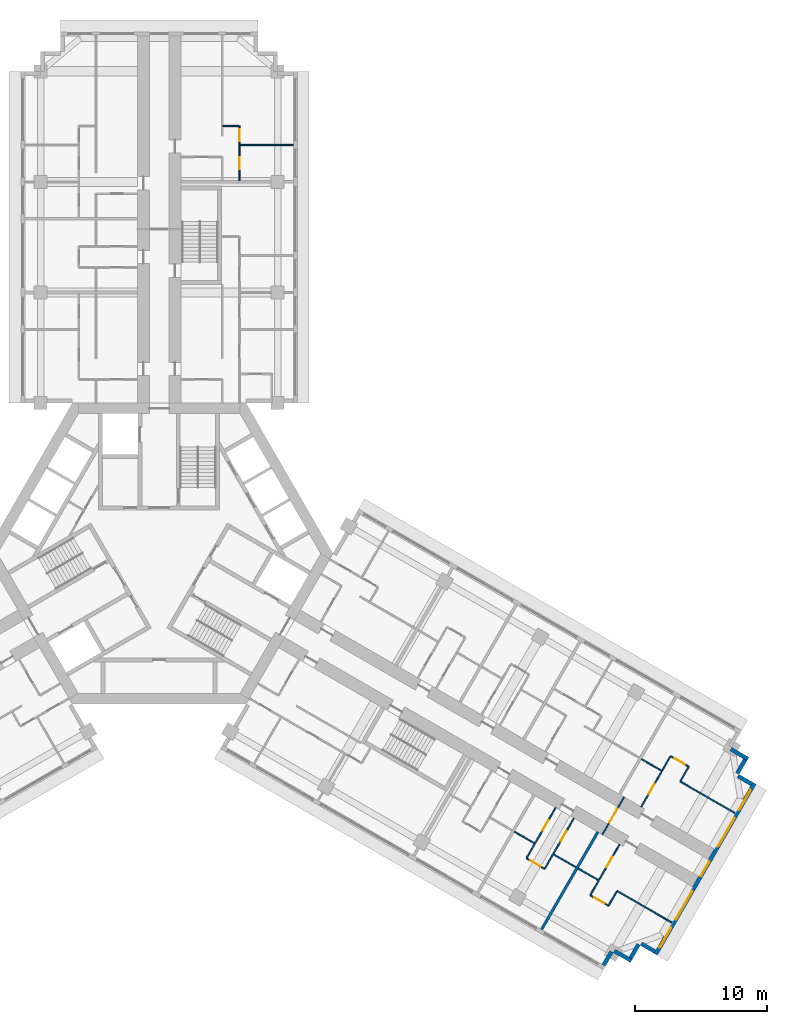
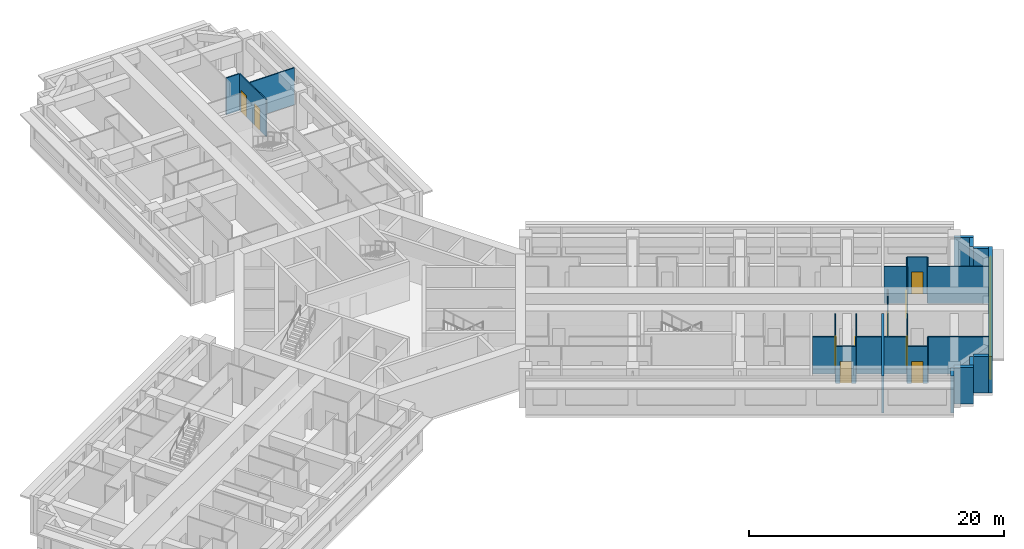
# One storey, part 10 of 13: 32 walls, 10 doors, 5 windows, 15 openings.
"""IFC4 building model written with IfcOpenShell, lengths in metres."""

from ifc_helpers import new_model, si_unit, direction, frame, frame_2d, origin, place, context, subcontext, project, spatial, rectangle, extrude, material, layer, layer_set, type_object, element, fill, save


model = new_model("IFC4")

# Units and contexts
model_context = context("Model", 3, precision=1e-05, world=origin(), true_north=direction((0.0, 1.0)))
body_context = subcontext(model_context, "Body", "Model", "MODEL_VIEW")
ifc_project = project(units=[si_unit("LENGTHUNIT", "METRE"), si_unit("AREAUNIT", "SQUARE_METRE"), si_unit("VOLUMEUNIT", "CUBIC_METRE"), si_unit("PLANEANGLEUNIT", "RADIAN"), si_unit("MASSUNIT", "GRAM", prefix="KILO")], contexts=[model_context])

# Site, building, storey
site_placement = place(None, origin())
site = spatial("IfcSite", under=ifc_project, at=site_placement, CompositionType="ELEMENT")
building_placement = place(site_placement, origin())
building = spatial("IfcBuilding", under=site, at=building_placement, Name="Impinga Residences", CompositionType="ELEMENT")
storey_placement = place(building_placement, frame((0.0, 0.0, 139.75)))
storey = spatial("IfcBuildingStorey", under=building, at=storey_placement, Name="L34", CompositionType="ELEMENT", Elevation=139.75)

# Wall, opening, door
ifc_material_1 = material(Name="Concrete blockwork", Category="masonry")
ifc_layer_1 = layer(ifc_material_1, 0.10009765625)
ifc_layer_set_1 = layer_set([ifc_layer_1], Name="CP1 core room partition, blockwork 100")
wall_type_1 = type_object("IfcWallType", Name="CP1 core room partition, blockwork 100", PredefinedType="PARTITIONING", material=ifc_layer_set_1)
wall_1_placement = place(storey_placement, frame((35.320068359375, -18.48681640625, 0.0), z_axis=(0.0, 0.0, 1.0), x_axis=(-0.499974350878, -0.866040211805, 0.0)))
wall_1 = element("IfcWall", 1, at=wall_1_placement, inside=storey, type_object=wall_type_1, Name="Core room partition, blockwork L34:E:PLB", PredefinedType="PARTITIONING", context=body_context, shape_type="SweptSolid", body=[
    extrude(rectangle(XDim=3.300048828125, YDim=0.10009765625, at=frame_2d((1.64990234375, 0.0))), origin(), (0.0, 0.0, 1.0), 3.530029296875),
])
opening_1_placement = place(wall_1_placement, frame((1.050048828125, 0.0, 0.0)))
opening_1 = element("IfcOpeningElement", 2, at=opening_1_placement, cuts=wall_1, Name="Opening D3", PredefinedType="OPENING", context=body_context, shape_type="SweptSolid", body=[
    extrude(rectangle(XDim=1.199951171875, YDim=2.10009765625, at=frame_2d((0.60009765625, 1.050048828125))), frame((0.0, 0.06005859375, 0.0), z_axis=(0.0, -1.0, 0.0), x_axis=(1.0, 0.0, 0.0)), (0.0, 0.0, 1.0), 0.1201171875),
])
ifc_material_2 = material(Name="Timber door set", Category="wood")
door_type_1 = type_object("IfcDoorType", Name="D3 room door, leaf and a half 1200x2100", OperationType="DOUBLE_SWING_LEFT", PredefinedType="DOOR", material=ifc_material_2)
door_1_placement = place(opening_1_placement, origin())
door_1 = element("IfcDoor", 3, at=door_1_placement, inside=storey, type_object=door_type_1, Name="Private lobby door E", OperationType="DOUBLE_SWING_LEFT", OverallHeight=2.10009765625, OverallWidth=1.199951171875, PredefinedType="DOOR", context=body_context, shape_type="SweptSolid", body=[
    extrude(rectangle(XDim=1.199951171875, YDim=2.10009765625, at=frame_2d((0.60009765625, 1.050048828125))), frame((0.0, 0.02490234375, 0.0), z_axis=(0.0, -1.0, 0.0), x_axis=(1.0, 0.0, 0.0)), (0.0, 0.0, 1.0), 0.050048828125),
])
fill(opening_1, door_1)

# Walls
ifc_material_3 = material(Name="Terracotta rainscreen on blockwork", Category="masonry")
ifc_layer_2 = layer(ifc_material_3, 0.300048828125)
ifc_layer_set_2 = layer_set([ifc_layer_2], Name="EW1 external wall, terracotta rainscreen on blockwork 300")
wall_type_2 = type_object("IfcWallType", Name="EW1 external wall, terracotta rainscreen on blockwork 300", PredefinedType="SOLIDWALL", material=ifc_layer_set_2)
wall_2_placement = place(storey_placement, frame((43.42333984375, -14.8515625, 0.0), z_axis=(0.0, 0.0, 1.0), x_axis=(0.866031096941, -0.499990139034, 0.0)))
element("IfcWall", 4, at=wall_2_placement, inside=storey, type_object=wall_type_2, Name="External wall EW1 L34", PredefinedType="SOLIDWALL", context=body_context, shape_type="SweptSolid", body=[
    extrude(rectangle(XDim=1.5, YDim=0.300048828125, at=frame_2d((0.75, 0.0))), origin(), (0.0, 0.0, 1.0), 3.530029296875),
])
wall_3_placement = place(storey_placement, frame((44.517578125, -15.65625, 0.0), z_axis=(0.0, 0.0, 1.0), x_axis=(-0.500033551112, -0.866006032174, 0.0)))
element("IfcWall", 5, at=wall_3_placement, inside=storey, type_object=wall_type_2, Name="External wall EW1 L34", PredefinedType="SOLIDWALL", context=body_context, shape_type="SweptSolid", body=[
    extrude(rectangle(XDim=1.2001953125, YDim=0.300048828125, at=frame_2d((0.60009765625, 0.0))), origin(), (0.0, 0.0, 1.0), 3.530029296875),
])
wall_4_placement = place(storey_placement, frame((43.976806640625, -16.903076171875, 0.0), z_axis=(0.0, 0.0, 1.0), x_axis=(0.866059708757, -0.499940577336, 0.0)))
element("IfcWall", 6, at=wall_4_placement, inside=storey, type_object=wall_type_2, Name="External wall EW1 L34", PredefinedType="SOLIDWALL", context=body_context, shape_type="SweptSolid", body=[
    extrude(rectangle(XDim=1.195068359375, YDim=0.300048828125, at=frame_2d((0.59765625, 0.0))), origin(), (0.0, 0.0, 1.0), 3.530029296875),
])

# Wall, openings, windows
wall_5_placement = place(storey_placement, frame((45.216552734375, -17.445556640625, 0.0), z_axis=(0.0, 0.0, 1.0), x_axis=(-0.499997186618, -0.866027028085, 0.0)))
wall_5 = element("IfcWall", 7, at=wall_5_placement, inside=storey, type_object=wall_type_2, Name="External wall EW1 L34", PredefinedType="SOLIDWALL", context=body_context, shape_type="SweptSolid", body=[
    extrude(rectangle(XDim=15.0, YDim=0.300048828125, at=frame_2d((7.5, 0.0))), origin(), (0.0, 0.0, 1.0), 3.530029296875),
])
opening_2_placement = place(wall_5_placement, frame((0.60009765625, 0.0, 0.89990234375)))
opening_2 = element("IfcOpeningElement", 8, at=opening_2_placement, cuts=wall_5, Name="Opening W1", PredefinedType="OPENING", context=body_context, shape_type="SweptSolid", body=[
    extrude(rectangle(XDim=1.75, YDim=2.050048828125, at=frame_2d((0.875, 1.02490234375))), frame((0.0, 0.159912109375, 0.0), z_axis=(0.0, -1.0, 0.0), x_axis=(1.0, 0.0, 0.0)), (0.0, 0.0, 1.0), 0.320068359375),
])
opening_3_placement = place(wall_5_placement, frame((3.050048828125, 0.0, 0.89990234375)))
opening_3 = element("IfcOpeningElement", 9, at=opening_3_placement, cuts=wall_5, Name="Opening W2", PredefinedType="OPENING", context=body_context, shape_type="SweptSolid", body=[
    extrude(rectangle(XDim=2.5, YDim=2.050048828125, at=frame_2d((1.25, 1.02490234375))), frame((0.0, 0.159912109375, 0.0), z_axis=(0.0, -1.0, 0.0), x_axis=(1.0, 0.0, 0.0)), (0.0, 0.0, 1.0), 0.320068359375),
])
opening_4_placement = place(wall_5_placement, frame((6.85009765625, 0.0, 0.89990234375)))
opening_4 = element("IfcOpeningElement", 10, at=opening_4_placement, cuts=wall_5, Name="Opening W17", PredefinedType="OPENING", context=body_context, shape_type="SweptSolid", body=[
    extrude(rectangle(XDim=1.300048828125, YDim=2.050048828125, at=frame_2d((0.64990234375, 1.02490234375))), frame((0.0, 0.159912109375, 0.0), z_axis=(0.0, -1.0, 0.0), x_axis=(1.0, 0.0, 0.0)), (0.0, 0.0, 1.0), 0.320068359375),
])
opening_5_placement = place(wall_5_placement, frame((9.449951171875, 0.0, 0.89990234375)))
opening_5 = element("IfcOpeningElement", 11, at=opening_5_placement, cuts=wall_5, Name="Opening W2", PredefinedType="OPENING", context=body_context, shape_type="SweptSolid", body=[
    extrude(rectangle(XDim=2.5, YDim=2.050048828125, at=frame_2d((1.25, 1.02490234375))), frame((0.0, 0.159912109375, 0.0), z_axis=(0.0, -1.0, 0.0), x_axis=(1.0, 0.0, 0.0)), (0.0, 0.0, 1.0), 0.320068359375),
])
opening_6_placement = place(wall_5_placement, frame((12.64990234375, 0.0, 0.89990234375)))
opening_6 = element("IfcOpeningElement", 12, at=opening_6_placement, cuts=wall_5, Name="Opening W1", PredefinedType="OPENING", context=body_context, shape_type="SweptSolid", body=[
    extrude(rectangle(XDim=1.75, YDim=2.050048828125, at=frame_2d((0.875, 1.02490234375))), frame((0.0, 0.159912109375, 0.0), z_axis=(0.0, -1.0, 0.0), x_axis=(1.0, 0.0, 0.0)), (0.0, 0.0, 1.0), 0.320068359375),
])
ifc_material_4 = material(Name="Aluminium window, clear double glazing", Category="aluminium")
window_type_1 = type_object("IfcWindowType", Name="W1 ribbon window 1750x2050", PartitioningType="SINGLE_PANEL", PredefinedType="WINDOW", material=ifc_material_4)
window_1_placement = place(opening_2_placement, origin())
window_1 = element("IfcWindow", 13, at=window_1_placement, inside=storey, type_object=window_type_1, Name="Window L34", OverallHeight=2.050048828125, OverallWidth=1.75, PartitioningType="SINGLE_PANEL", PredefinedType="WINDOW", context=body_context, shape_type="SweptSolid", body=[
    extrude(rectangle(XDim=1.75, YDim=2.050048828125, at=frame_2d((0.875, 1.02490234375))), frame((0.0, 0.030029296875, 0.0), z_axis=(0.0, -1.0, 0.0), x_axis=(1.0, 0.0, 0.0)), (0.0, 0.0, 1.0), 0.06005859375),
])
fill(opening_2, window_1)
window_2_placement = place(opening_6_placement, origin())
window_2 = element("IfcWindow", 14, at=window_2_placement, inside=storey, type_object=window_type_1, Name="Window L34", OverallHeight=2.050048828125, OverallWidth=1.75, PartitioningType="SINGLE_PANEL", PredefinedType="WINDOW", context=body_context, shape_type="SweptSolid", body=[
    extrude(rectangle(XDim=1.75, YDim=2.050048828125, at=frame_2d((0.875, 1.02490234375))), frame((0.0, 0.030029296875, 0.0), z_axis=(0.0, -1.0, 0.0), x_axis=(1.0, 0.0, 0.0)), (0.0, 0.0, 1.0), 0.06005859375),
])
fill(opening_6, window_2)
window_type_2 = type_object("IfcWindowType", Name="W17 ribbon window 1300x2050", PartitioningType="SINGLE_PANEL", PredefinedType="WINDOW", material=ifc_material_4)
window_3_placement = place(opening_4_placement, origin())
window_3 = element("IfcWindow", 15, at=window_3_placement, inside=storey, type_object=window_type_2, Name="Window L34", OverallHeight=2.050048828125, OverallWidth=1.300048828125, PartitioningType="SINGLE_PANEL", PredefinedType="WINDOW", context=body_context, shape_type="SweptSolid", body=[
    extrude(rectangle(XDim=1.300048828125, YDim=2.050048828125, at=frame_2d((0.64990234375, 1.02490234375))), frame((0.0, 0.030029296875, 0.0), z_axis=(0.0, -1.0, 0.0), x_axis=(1.0, 0.0, 0.0)), (0.0, 0.0, 1.0), 0.06005859375),
])
fill(opening_4, window_3)
window_type_3 = type_object("IfcWindowType", Name="W2 ribbon window 2500x2050", PartitioningType="SINGLE_PANEL", PredefinedType="WINDOW", material=ifc_material_4)
window_4_placement = place(opening_3_placement, origin())
window_4 = element("IfcWindow", 16, at=window_4_placement, inside=storey, type_object=window_type_3, Name="Window L34", OverallHeight=2.050048828125, OverallWidth=2.5, PartitioningType="SINGLE_PANEL", PredefinedType="WINDOW", context=body_context, shape_type="SweptSolid", body=[
    extrude(rectangle(XDim=2.5, YDim=2.050048828125, at=frame_2d((1.25, 1.02490234375))), frame((0.0, 0.030029296875, 0.0), z_axis=(0.0, -1.0, 0.0), x_axis=(1.0, 0.0, 0.0)), (0.0, 0.0, 1.0), 0.06005859375),
])
fill(opening_3, window_4)
window_5_placement = place(opening_5_placement, origin())
window_5 = element("IfcWindow", 17, at=window_5_placement, inside=storey, type_object=window_type_3, Name="Window L34", OverallHeight=2.050048828125, OverallWidth=2.5, PartitioningType="SINGLE_PANEL", PredefinedType="WINDOW", context=body_context, shape_type="SweptSolid", body=[
    extrude(rectangle(XDim=2.5, YDim=2.050048828125, at=frame_2d((1.25, 1.02490234375))), frame((0.0, 0.030029296875, 0.0), z_axis=(0.0, -1.0, 0.0), x_axis=(1.0, 0.0, 0.0)), (0.0, 0.0, 1.0), 0.06005859375),
])
fill(opening_5, window_5)

# Walls
wall_6_placement = place(storey_placement, frame((37.66162109375, -30.23095703125, 0.0), z_axis=(0.0, 0.0, 1.0), x_axis=(-0.866059708757, 0.499940577336, 0.0)))
element("IfcWall", 18, at=wall_6_placement, inside=storey, type_object=wall_type_2, Name="External wall EW1 L34", PredefinedType="SOLIDWALL", context=body_context, shape_type="SweptSolid", body=[
    extrude(rectangle(XDim=1.195068359375, YDim=0.300048828125, at=frame_2d((0.59765625, 0.0))), origin(), (0.0, 0.0, 1.0), 3.530029296875),
])
wall_7_placement = place(storey_placement, frame((36.41748046875, -29.68603515625, 0.0), z_axis=(0.0, 0.0, 1.0), x_axis=(-0.499969057507, -0.866043267704, 0.0)))
element("IfcWall", 19, at=wall_7_placement, inside=storey, type_object=wall_type_2, Name="External wall EW1 L34", PredefinedType="SOLIDWALL", context=body_context, shape_type="SweptSolid", body=[
    extrude(rectangle(XDim=1.19970703125, YDim=0.300048828125, at=frame_2d((0.599853515625, 0.0))), origin(), (0.0, 0.0, 1.0), 3.530029296875),
])
wall_8_placement = place(storey_placement, frame((35.87255859375, -30.93017578125, 0.0), z_axis=(0.0, 0.0, 1.0), x_axis=(-0.866031096941, 0.499990139034, 0.0)))
element("IfcWall", 20, at=wall_8_placement, inside=storey, type_object=wall_type_2, Name="External wall EW1 L34", PredefinedType="SOLIDWALL", context=body_context, shape_type="SweptSolid", body=[
    extrude(rectangle(XDim=1.5, YDim=0.300048828125, at=frame_2d((0.75, 0.0))), origin(), (0.0, 0.0, 1.0), 3.530029296875),
])
wall_9_placement = place(storey_placement, frame((34.365966796875, -30.2392578125, 0.0), z_axis=(0.0, 0.0, 1.0), x_axis=(-0.499940577336, -0.866059708757, 0.0)))
element("IfcWall", 21, at=wall_9_placement, inside=storey, type_object=wall_type_2, Name="External wall EW1 L34", PredefinedType="SOLIDWALL", context=body_context, shape_type="SweptSolid", body=[
    extrude(rectangle(XDim=1.195068359375, YDim=0.300048828125, at=frame_2d((0.59765625, 0.0))), origin(), (0.0, 0.0, 1.0), 3.530029296875),
])

# Wall, openings, doors
ifc_material_5 = material(Name="Gypsum board on steel studs", Category="steel")
ifc_layer_3 = layer(ifc_material_5, 0.10009765625)
ifc_layer_set_3 = layer_set([ifc_layer_3], Name="Gypsum board on steel studs")
wall_type_3 = type_object("IfcWallType", Name="IP1 partition 100", PredefinedType="PARTITIONING", material=ifc_layer_set_3)
wall_10_placement = place(storey_placement, frame((6.10009765625, 28.33154296875, 0.0), z_axis=(0.0, 0.0, 1.0), x_axis=(0.0, 1.0, 0.0)))
wall_10 = element("IfcWall", 22, at=wall_10_placement, inside=storey, type_object=wall_type_3, Name="Partition L34-NF2:STRIP", PredefinedType="PARTITIONING", context=body_context, shape_type="SweptSolid", body=[
    extrude(rectangle(XDim=4.14990234375, YDim=0.10009765625, at=frame_2d((2.074951171875, 0.0))), origin(), (0.0, 0.0, 1.0), 3.530029296875),
])
opening_7_placement = place(wall_10_placement, frame((0.875, 0.0, 0.0)))
opening_7 = element("IfcOpeningElement", 23, at=opening_7_placement, cuts=wall_10, Name="Opening D2", PredefinedType="OPENING", context=body_context, shape_type="SweptSolid", body=[
    extrude(rectangle(XDim=0.89990234375, YDim=2.10009765625, at=frame_2d((0.449951171875, 1.050048828125))), frame((0.0, 0.06005859375, 0.0), z_axis=(0.0, -1.0, 0.0), x_axis=(1.0, 0.0, 0.0)), (0.0, 0.0, 1.0), 0.1201171875),
])
opening_8_placement = place(wall_10_placement, frame((3.0, 0.0, 0.0)))
opening_8 = element("IfcOpeningElement", 24, at=opening_8_placement, cuts=wall_10, Name="Opening D2", PredefinedType="OPENING", context=body_context, shape_type="SweptSolid", body=[
    extrude(rectangle(XDim=0.89990234375, YDim=2.10009765625, at=frame_2d((0.449951171875, 1.050048828125))), frame((0.0, 0.06005859375, 0.0), z_axis=(0.0, -1.0, 0.0), x_axis=(1.0, 0.0, 0.0)), (0.0, 0.0, 1.0), 0.1201171875),
])
door_type_2 = type_object("IfcDoorType", Name="D2 internal door 900x2100", OperationType="SINGLE_SWING_LEFT", PredefinedType="DOOR", material=ifc_material_2)
door_2_placement = place(opening_7_placement, origin())
door_2 = element("IfcDoor", 25, at=door_2_placement, inside=storey, type_object=door_type_2, Name="Apartment L34-NF2 room door", OperationType="SINGLE_SWING_LEFT", OverallHeight=2.10009765625, OverallWidth=0.89990234375, PredefinedType="DOOR", context=body_context, shape_type="SweptSolid", body=[
    extrude(rectangle(XDim=0.89990234375, YDim=2.10009765625, at=frame_2d((0.449951171875, 1.050048828125))), frame((0.0, 0.02490234375, 0.0), z_axis=(0.0, -1.0, 0.0), x_axis=(1.0, 0.0, 0.0)), (0.0, 0.0, 1.0), 0.050048828125),
])
fill(opening_7, door_2)
door_3_placement = place(opening_8_placement, origin())
door_3 = element("IfcDoor", 26, at=door_3_placement, inside=storey, type_object=door_type_2, Name="Apartment L34-NF2 room door", OperationType="SINGLE_SWING_RIGHT", OverallHeight=2.10009765625, OverallWidth=0.89990234375, PredefinedType="DOOR", context=body_context, shape_type="SweptSolid", body=[
    extrude(rectangle(XDim=0.89990234375, YDim=2.10009765625, at=frame_2d((0.449951171875, 1.050048828125))), frame((0.0, 0.02490234375, 0.0), z_axis=(0.0, -1.0, 0.0), x_axis=(1.0, 0.0, 0.0)), (0.0, 0.0, 1.0), 0.050048828125),
])
fill(opening_8, door_3)

# Walls
wall_11_placement = place(storey_placement, frame((4.85009765625, 32.4814453125, 0.0), z_axis=(0.0, 0.0, 1.0), x_axis=(1.0, 0.0, 0.0)))
element("IfcWall", 27, at=wall_11_placement, inside=storey, type_object=wall_type_3, Name="Partition L34-NF2:SE1", PredefinedType="PARTITIONING", context=body_context, shape_type="SweptSolid", body=[
    extrude(rectangle(XDim=1.199951171875, YDim=0.10009765625, at=frame_2d((0.60009765625, 0.0))), origin(), (0.0, 0.0, 1.0), 3.530029296875),
])
wall_12_placement = place(storey_placement, frame((6.14990234375, 31.031494140625, 0.0), z_axis=(0.0, 0.0, 1.0), x_axis=(1.0, 0.0, 0.0)))
element("IfcWall", 28, at=wall_12_placement, inside=storey, type_object=wall_type_3, Name="Partition L34-NF2:OB1", PredefinedType="PARTITIONING", context=body_context, shape_type="SweptSolid", body=[
    extrude(rectangle(XDim=4.050048828125, YDim=0.10009765625, at=frame_2d((2.02490234375, 0.0))), origin(), (0.0, 0.0, 1.0), 3.530029296875),
])
wall_13_placement = place(storey_placement, frame((36.63525390625, -15.60888671875, 0.0), z_axis=(0.0, 0.0, 1.0), x_axis=(0.866047807691, -0.499961193289, 0.0)))
element("IfcWall", 29, at=wall_13_placement, inside=storey, type_object=wall_type_3, Name="Partition L34-EA5:DIV0", PredefinedType="PARTITIONING", context=body_context, shape_type="SweptSolid", body=[
    extrude(rectangle(XDim=1.800048828125, YDim=0.10009765625, at=frame_2d((0.89990234375, 0.0))), origin(), (0.0, 0.0, 1.0), 3.530029296875),
])
wall_14_placement = place(storey_placement, frame((39.579833984375, -17.308837890625, 0.0), z_axis=(0.0, 0.0, 1.0), x_axis=(0.866037363387, -0.499979284789, 0.0)))
element("IfcWall", 30, at=wall_14_placement, inside=storey, type_object=wall_type_3, Name="Partition L34-EA5:DIV1", PredefinedType="PARTITIONING", context=body_context, shape_type="SweptSolid", body=[
    extrude(rectangle(XDim=4.800048828125, YDim=0.10009765625, at=frame_2d((2.39990234375, 0.0))), origin(), (0.0, 0.0, 1.0), 3.530029296875),
])

# Wall, opening, door
wall_15_placement = place(storey_placement, frame((38.84423828125, -15.383056640625, 0.0), z_axis=(0.0, 0.0, 1.0), x_axis=(0.865989903783, -0.500061482766, 0.0)))
wall_15 = element("IfcWall", 31, at=wall_15_placement, inside=storey, type_object=wall_type_3, Name="Partition L34-EA5:STRIP", PredefinedType="PARTITIONING", context=body_context, shape_type="SweptSolid", body=[
    extrude(rectangle(XDim=1.599853515625, YDim=0.10009765625, at=frame_2d((0.7998046875, 0.0))), origin(), (0.0, 0.0, 1.0), 3.530029296875),
])
opening_9_placement = place(wall_15_placement, frame((0.35009765625, 0.0, 0.0)))
opening_9 = element("IfcOpeningElement", 32, at=opening_9_placement, cuts=wall_15, Name="Opening D2", PredefinedType="OPENING", context=body_context, shape_type="SweptSolid", body=[
    extrude(rectangle(XDim=0.89990234375, YDim=2.10009765625, at=frame_2d((0.449951171875, 1.050048828125))), frame((0.0, 0.06005859375, 0.0), z_axis=(0.0, -1.0, 0.0), x_axis=(1.0, 0.0, 0.0)), (0.0, 0.0, 1.0), 0.1201171875),
])
door_4_placement = place(opening_9_placement, origin())
door_4 = element("IfcDoor", 33, at=door_4_placement, inside=storey, type_object=door_type_2, Name="Apartment L34-EA5 room door", OperationType="SINGLE_SWING_LEFT", OverallHeight=2.10009765625, OverallWidth=0.89990234375, PredefinedType="DOOR", context=body_context, shape_type="SweptSolid", body=[
    extrude(rectangle(XDim=0.89990234375, YDim=2.10009765625, at=frame_2d((0.449951171875, 1.050048828125))), frame((0.0, 0.02490234375, 0.0), z_axis=(0.0, -1.0, 0.0), x_axis=(1.0, 0.0, 0.0)), (0.0, 0.0, 1.0), 0.050048828125),
])
fill(opening_9, door_4)

# Walls
wall_16_placement = place(storey_placement, frame((38.21923828125, -16.465576171875, 0.0), z_axis=(0.0, 0.0, 1.0), x_axis=(0.499880961361, 0.866094119867, 0.0)))
element("IfcWall", 34, at=wall_16_placement, inside=storey, type_object=wall_type_3, Name="Partition L34-EA5:SE0", PredefinedType="PARTITIONING", context=body_context, shape_type="SweptSolid", body=[
    extrude(rectangle(XDim=1.199951171875, YDim=0.10009765625, at=frame_2d((0.60009765625, 0.0))), origin(), (0.0, 0.0, 1.0), 3.530029296875),
])
wall_17_placement = place(storey_placement, frame((39.604736328125, -17.265625, 0.0), z_axis=(0.0, 0.0, 1.0), x_axis=(0.500033551112, 0.866006032174, 0.0)))
element("IfcWall", 35, at=wall_17_placement, inside=storey, type_object=wall_type_3, Name="Partition L34-EA5:SE1", PredefinedType="PARTITIONING", context=body_context, shape_type="SweptSolid", body=[
    extrude(rectangle(XDim=1.2001953125, YDim=0.10009765625, at=frame_2d((0.60009765625, 0.0))), origin(), (0.0, 0.0, 1.0), 3.530029296875),
])

# Wall, opening, door
wall_18_placement = place(storey_placement, frame((36.619140625, -19.23681640625, 0.0), z_axis=(0.0, 0.0, 1.0), x_axis=(0.500026960575, 0.86600983753, 0.0)))
wall_18 = element("IfcWall", 36, at=wall_18_placement, inside=storey, type_object=wall_type_3, Name="Partition L34-EA5:IB1", PredefinedType="PARTITIONING", context=body_context, shape_type="SweptSolid", body=[
    extrude(rectangle(XDim=3.099853515625, YDim=0.10009765625, at=frame_2d((1.5498046875, 0.0))), origin(), (0.0, 0.0, 1.0), 3.530029296875),
])
opening_10_placement = place(wall_18_placement, frame((1.10009765625, 0.0, 0.0)))
opening_10 = element("IfcOpeningElement", 37, at=opening_10_placement, cuts=wall_18, Name="Opening D2", PredefinedType="OPENING", context=body_context, shape_type="SweptSolid", body=[
    extrude(rectangle(XDim=0.89990234375, YDim=2.10009765625, at=frame_2d((0.449951171875, 1.050048828125))), frame((0.0, 0.06005859375, 0.0), z_axis=(0.0, -1.0, 0.0), x_axis=(1.0, 0.0, 0.0)), (0.0, 0.0, 1.0), 0.1201171875),
])
door_5_placement = place(opening_10_placement, origin())
door_5 = element("IfcDoor", 38, at=door_5_placement, inside=storey, type_object=door_type_2, Name="Apartment L34-EA5 bathroom door", OperationType="SINGLE_SWING_LEFT", OverallHeight=2.10009765625, OverallWidth=0.89990234375, PredefinedType="DOOR", context=body_context, shape_type="SweptSolid", body=[
    extrude(rectangle(XDim=0.89990234375, YDim=2.10009765625, at=frame_2d((0.449951171875, 1.050048828125))), frame((0.0, 0.02490234375, 0.0), z_axis=(0.0, -1.0, 0.0), x_axis=(1.0, 0.0, 0.0)), (0.0, 0.0, 1.0), 0.050048828125),
])
fill(opening_10, door_5)

# Walls
wall_19_placement = place(storey_placement, frame((26.985595703125, -21.122802734375, 0.0), z_axis=(0.0, 0.0, 1.0), x_axis=(0.866047807691, -0.499961193289, 0.0)))
element("IfcWall", 39, at=wall_19_placement, inside=storey, type_object=wall_type_3, Name="Partition L34-EF3:DIV0", PredefinedType="PARTITIONING", context=body_context, shape_type="SweptSolid", body=[
    extrude(rectangle(XDim=1.800048828125, YDim=0.10009765625, at=frame_2d((0.89990234375, 0.0))), origin(), (0.0, 0.0, 1.0), 3.530029296875),
])
wall_20_placement = place(storey_placement, frame((29.93017578125, -22.82275390625, 0.0), z_axis=(0.0, 0.0, 1.0), x_axis=(0.866010750942, -0.50002537861, 0.0)))
element("IfcWall", 40, at=wall_20_placement, inside=storey, type_object=wall_type_3, Name="Partition L34-EF3:DIV1", PredefinedType="PARTITIONING", context=body_context, shape_type="SweptSolid", body=[
    extrude(rectangle(XDim=2.0, YDim=0.10009765625, at=frame_2d((1.0, 0.0))), origin(), (0.0, 0.0, 1.0), 3.530029296875),
])

# Wall, opening, door
wall_21_placement = place(storey_placement, frame((27.89453125, -23.1484375, 0.0), z_axis=(0.0, 0.0, 1.0), x_axis=(0.865989903783, -0.500061482766, 0.0)))
wall_21 = element("IfcWall", 41, at=wall_21_placement, inside=storey, type_object=wall_type_3, Name="Partition L34-EF3:STRIP", PredefinedType="PARTITIONING", context=body_context, shape_type="SweptSolid", body=[
    extrude(rectangle(XDim=1.599853515625, YDim=0.10009765625, at=frame_2d((0.7998046875, 0.0))), origin(), (0.0, 0.0, 1.0), 3.530029296875),
])
opening_11_placement = place(wall_21_placement, frame((0.35009765625, 0.0, 0.0)))
opening_11 = element("IfcOpeningElement", 42, at=opening_11_placement, cuts=wall_21, Name="Opening D2", PredefinedType="OPENING", context=body_context, shape_type="SweptSolid", body=[
    extrude(rectangle(XDim=0.89990234375, YDim=2.10009765625, at=frame_2d((0.449951171875, 1.050048828125))), frame((0.0, 0.06005859375, 0.0), z_axis=(0.0, -1.0, 0.0), x_axis=(1.0, 0.0, 0.0)), (0.0, 0.0, 1.0), 0.1201171875),
])
door_6_placement = place(opening_11_placement, origin())
door_6 = element("IfcDoor", 43, at=door_6_placement, inside=storey, type_object=door_type_2, Name="Apartment L34-EF3 room door", OperationType="SINGLE_SWING_LEFT", OverallHeight=2.10009765625, OverallWidth=0.89990234375, PredefinedType="DOOR", context=body_context, shape_type="SweptSolid", body=[
    extrude(rectangle(XDim=0.89990234375, YDim=2.10009765625, at=frame_2d((0.449951171875, 1.050048828125))), frame((0.0, 0.02490234375, 0.0), z_axis=(0.0, -1.0, 0.0), x_axis=(1.0, 0.0, 0.0)), (0.0, 0.0, 1.0), 0.050048828125),
])
fill(opening_11, door_6)

# Walls
wall_22_placement = place(storey_placement, frame((28.51953125, -22.06591796875, 0.0), z_axis=(0.0, 0.0, 1.0), x_axis=(-0.500033551112, -0.866006032174, 0.0)))
element("IfcWall", 44, at=wall_22_placement, inside=storey, type_object=wall_type_3, Name="Partition L34-EF3:SE0", PredefinedType="PARTITIONING", context=body_context, shape_type="SweptSolid", body=[
    extrude(rectangle(XDim=1.2001953125, YDim=0.10009765625, at=frame_2d((0.60009765625, 0.0))), origin(), (0.0, 0.0, 1.0), 3.530029296875),
])
wall_23_placement = place(storey_placement, frame((29.905029296875, -22.865966796875, 0.0), z_axis=(0.0, 0.0, 1.0), x_axis=(-0.499880961361, -0.866094119867, 0.0)))
element("IfcWall", 45, at=wall_23_placement, inside=storey, type_object=wall_type_3, Name="Partition L34-EF3:SE1", PredefinedType="PARTITIONING", context=body_context, shape_type="SweptSolid", body=[
    extrude(rectangle(XDim=1.199951171875, YDim=0.10009765625, at=frame_2d((0.60009765625, 0.0))), origin(), (0.0, 0.0, 1.0), 3.530029296875),
])

# Wall, opening, door
wall_24_placement = place(storey_placement, frame((30.119384765625, -19.294677734375, 0.0), z_axis=(0.0, 0.0, 1.0), x_axis=(-0.49999285859, -0.86602952684, 0.0)))
wall_24 = element("IfcWall", 46, at=wall_24_placement, inside=storey, type_object=wall_type_3, Name="Partition L34-EF3:IB1", PredefinedType="PARTITIONING", context=body_context, shape_type="SweptSolid", body=[
    extrude(rectangle(XDim=3.10009765625, YDim=0.10009765625, at=frame_2d((1.550048828125, 0.0))), origin(), (0.0, 0.0, 1.0), 3.530029296875),
])
opening_12_placement = place(wall_24_placement, frame((1.10009765625, 0.0, 0.0)))
opening_12 = element("IfcOpeningElement", 47, at=opening_12_placement, cuts=wall_24, Name="Opening D2", PredefinedType="OPENING", context=body_context, shape_type="SweptSolid", body=[
    extrude(rectangle(XDim=0.89990234375, YDim=2.10009765625, at=frame_2d((0.449951171875, 1.050048828125))), frame((0.0, 0.06005859375, 0.0), z_axis=(0.0, -1.0, 0.0), x_axis=(1.0, 0.0, 0.0)), (0.0, 0.0, 1.0), 0.1201171875),
])
door_7_placement = place(opening_12_placement, origin())
door_7 = element("IfcDoor", 48, at=door_7_placement, inside=storey, type_object=door_type_2, Name="Apartment L34-EF3 bathroom door", OperationType="SINGLE_SWING_LEFT", OverallHeight=2.10009765625, OverallWidth=0.89990234375, PredefinedType="DOOR", context=body_context, shape_type="SweptSolid", body=[
    extrude(rectangle(XDim=0.89990234375, YDim=2.10009765625, at=frame_2d((0.449951171875, 1.050048828125))), frame((0.0, 0.02490234375, 0.0), z_axis=(0.0, -1.0, 0.0), x_axis=(1.0, 0.0, 0.0)), (0.0, 0.0, 1.0), 0.050048828125),
])
fill(opening_12, door_7)

wall_25_placement = place(storey_placement, frame((31.505126953125, -20.0947265625, 0.0), z_axis=(0.0, 0.0, 1.0), x_axis=(-0.500026960575, -0.86600983753, 0.0)))
wall_25 = element("IfcWall", 49, at=wall_25_placement, inside=storey, type_object=wall_type_3, Name="Partition L34-EF3:IB2", PredefinedType="PARTITIONING", context=body_context, shape_type="SweptSolid", body=[
    extrude(rectangle(XDim=3.099853515625, YDim=0.10009765625, at=frame_2d((1.5498046875, 0.0))), origin(), (0.0, 0.0, 1.0), 3.530029296875),
])
opening_13_placement = place(wall_25_placement, frame((1.10009765625, 0.0, 0.0)))
opening_13 = element("IfcOpeningElement", 50, at=opening_13_placement, cuts=wall_25, Name="Opening D2", PredefinedType="OPENING", context=body_context, shape_type="SweptSolid", body=[
    extrude(rectangle(XDim=0.89990234375, YDim=2.10009765625, at=frame_2d((0.449951171875, 1.050048828125))), frame((0.0, 0.06005859375, 0.0), z_axis=(0.0, -1.0, 0.0), x_axis=(1.0, 0.0, 0.0)), (0.0, 0.0, 1.0), 0.1201171875),
])
door_8_placement = place(opening_13_placement, origin())
door_8 = element("IfcDoor", 51, at=door_8_placement, inside=storey, type_object=door_type_2, Name="Apartment L34-EF3 WC door", OperationType="SINGLE_SWING_LEFT", OverallHeight=2.10009765625, OverallWidth=0.89990234375, PredefinedType="DOOR", context=body_context, shape_type="SweptSolid", body=[
    extrude(rectangle(XDim=0.89990234375, YDim=2.10009765625, at=frame_2d((0.449951171875, 1.050048828125))), frame((0.0, 0.02490234375, 0.0), z_axis=(0.0, -1.0, 0.0), x_axis=(1.0, 0.0, 0.0)), (0.0, 0.0, 1.0), 0.050048828125),
])
fill(opening_13, door_8)

# Walls
wall_26_placement = place(storey_placement, frame((31.835205078125, -23.922607421875, 0.0), z_axis=(0.0, 0.0, 1.0), x_axis=(0.865989075817, -0.500062916607, 0.0)))
element("IfcWall", 52, at=wall_26_placement, inside=storey, type_object=wall_type_3, Name="Partition L34-EF4:DIV0", PredefinedType="PARTITIONING", context=body_context, shape_type="SweptSolid", body=[
    extrude(rectangle(XDim=1.800048828125, YDim=0.10009765625, at=frame_2d((0.89990234375, 0.0))), origin(), (0.0, 0.0, 1.0), 3.530029296875),
])
wall_27_placement = place(storey_placement, frame((34.77978515625, -25.622802734375, 0.0), z_axis=(0.0, 0.0, 1.0), x_axis=(0.866037363387, -0.499979284789, 0.0)))
element("IfcWall", 53, at=wall_27_placement, inside=storey, type_object=wall_type_3, Name="Partition L34-EF4:DIV1", PredefinedType="PARTITIONING", context=body_context, shape_type="SweptSolid", body=[
    extrude(rectangle(XDim=4.800048828125, YDim=0.10009765625, at=frame_2d((2.39990234375, 0.0))), origin(), (0.0, 0.0, 1.0), 3.530029296875),
])

# Wall, opening, door
wall_28_placement = place(storey_placement, frame((32.744140625, -25.948486328125, 0.0), z_axis=(0.0, 0.0, 1.0), x_axis=(0.866028054938, -0.499995408039, 0.0)))
wall_28 = element("IfcWall", 54, at=wall_28_placement, inside=storey, type_object=wall_type_3, Name="Partition L34-EF4:STRIP", PredefinedType="PARTITIONING", context=body_context, shape_type="SweptSolid", body=[
    extrude(rectangle(XDim=1.60009765625, YDim=0.10009765625, at=frame_2d((0.800048828125, 0.0))), origin(), (0.0, 0.0, 1.0), 3.530029296875),
])
opening_14_placement = place(wall_28_placement, frame((0.35009765625, 0.0, 0.0)))
opening_14 = element("IfcOpeningElement", 55, at=opening_14_placement, cuts=wall_28, Name="Opening D2", PredefinedType="OPENING", context=body_context, shape_type="SweptSolid", body=[
    extrude(rectangle(XDim=0.89990234375, YDim=2.10009765625, at=frame_2d((0.449951171875, 1.050048828125))), frame((0.0, 0.06005859375, 0.0), z_axis=(0.0, -1.0, 0.0), x_axis=(1.0, 0.0, 0.0)), (0.0, 0.0, 1.0), 0.1201171875),
])
door_9_placement = place(opening_14_placement, origin())
door_9 = element("IfcDoor", 56, at=door_9_placement, inside=storey, type_object=door_type_2, Name="Apartment L34-EF4 room door", OperationType="SINGLE_SWING_LEFT", OverallHeight=2.10009765625, OverallWidth=0.89990234375, PredefinedType="DOOR", context=body_context, shape_type="SweptSolid", body=[
    extrude(rectangle(XDim=0.89990234375, YDim=2.10009765625, at=frame_2d((0.449951171875, 1.050048828125))), frame((0.0, 0.02490234375, 0.0), z_axis=(0.0, -1.0, 0.0), x_axis=(1.0, 0.0, 0.0)), (0.0, 0.0, 1.0), 0.050048828125),
])
fill(opening_14, door_9)

# Walls
for number, where, z_axis, x_axis, name in (
    (57, (33.369140625, -24.865966796875, 0.0), (0.0, 0.0, 1.0), (-0.500033551112, -0.866006032174, 0.0), "Partition L34-EF4:SE0"),
    (58, (34.7548828125, -25.666015625, 0.0), (0.0, 0.0, 1.0), (-0.500033551112, -0.866006032174, 0.0), "Partition L34-EF4:SE1"),
):
    element("IfcWall", number, at=place(storey_placement, frame(where, z_axis=z_axis, x_axis=x_axis)), inside=storey, type_object=wall_type_3, Name=name, PredefinedType="PARTITIONING", context=body_context, shape_type="SweptSolid", body=[
        extrude(rectangle(XDim=1.2001953125, YDim=0.10009765625, at=frame_2d((0.60009765625, 0.0))), origin(), (0.0, 0.0, 1.0), 3.530029296875),
    ])

# Wall, opening, door
wall_29_placement = place(storey_placement, frame((34.96923828125, -22.0947265625, 0.0), z_axis=(0.0, 0.0, 1.0), x_axis=(-0.500026960575, -0.86600983753, 0.0)))
wall_29 = element("IfcWall", 59, at=wall_29_placement, inside=storey, type_object=wall_type_3, Name="Partition L34-EF4:IB1", PredefinedType="PARTITIONING", context=body_context, shape_type="SweptSolid", body=[
    extrude(rectangle(XDim=3.099853515625, YDim=0.10009765625, at=frame_2d((1.5498046875, 0.0))), origin(), (0.0, 0.0, 1.0), 3.530029296875),
])
opening_15_placement = place(wall_29_placement, frame((1.10009765625, 0.0, 0.0)))
opening_15 = element("IfcOpeningElement", 60, at=opening_15_placement, cuts=wall_29, Name="Opening D2", PredefinedType="OPENING", context=body_context, shape_type="SweptSolid", body=[
    extrude(rectangle(XDim=0.89990234375, YDim=2.10009765625, at=frame_2d((0.449951171875, 1.050048828125))), frame((0.0, 0.06005859375, 0.0), z_axis=(0.0, -1.0, 0.0), x_axis=(1.0, 0.0, 0.0)), (0.0, 0.0, 1.0), 0.1201171875),
])
door_10_placement = place(opening_15_placement, origin())
door_10 = element("IfcDoor", 61, at=door_10_placement, inside=storey, type_object=door_type_2, Name="Apartment L34-EF4 bathroom door", OperationType="SINGLE_SWING_LEFT", OverallHeight=2.10009765625, OverallWidth=0.89990234375, PredefinedType="DOOR", context=body_context, shape_type="SweptSolid", body=[
    extrude(rectangle(XDim=0.89990234375, YDim=2.10009765625, at=frame_2d((0.449951171875, 1.050048828125))), frame((0.0, 0.02490234375, 0.0), z_axis=(0.0, -1.0, 0.0), x_axis=(1.0, 0.0, 0.0)), (0.0, 0.0, 1.0), 0.050048828125),
])
fill(opening_15, door_10)

# Wall
ifc_layer_4 = layer(ifc_material_1, 0.199951171875)
ifc_layer_set_4 = layer_set([ifc_layer_4], Name="PW1 party wall between apartments 200")
wall_type_4 = type_object("IfcWallType", Name="PW1 party wall between apartments 200", PredefinedType="SOLIDWALL", material=ifc_layer_set_4)
wall_30_placement = place(storey_placement, frame((33.32373046875, -21.144775390625, 0.0), z_axis=(0.0, 0.0, 1.0), x_axis=(-0.499990227581, -0.86603104582, 0.0)))
element("IfcWall", 62, at=wall_30_placement, inside=storey, type_object=wall_type_4, Name="Party wall between apartments L34-EF3:PARTY", PredefinedType="SOLIDWALL", context=body_context, shape_type="SweptSolid", body=[
    extrude(rectangle(XDim=8.550048828125, YDim=0.199951171875, at=frame_2d((4.27490234375, 0.0))), origin(), (0.0, 0.0, 1.0), 3.530029296875),
])

save(model, "model.ifc")
